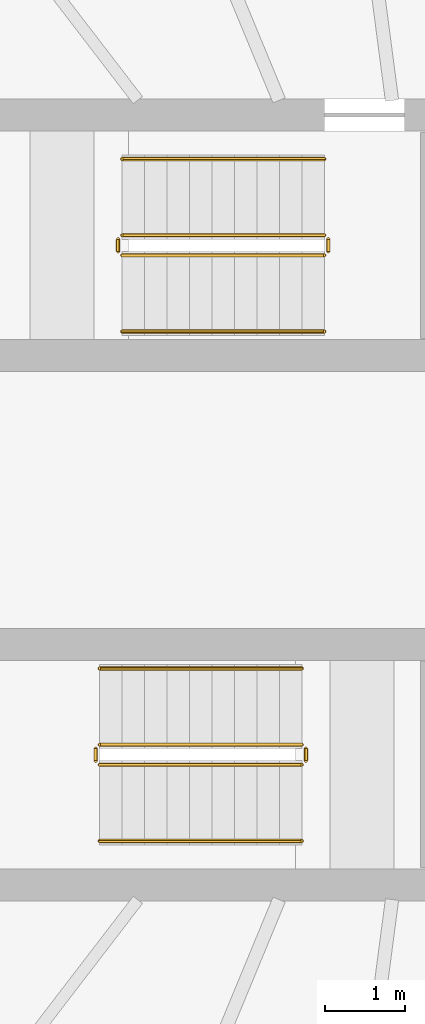
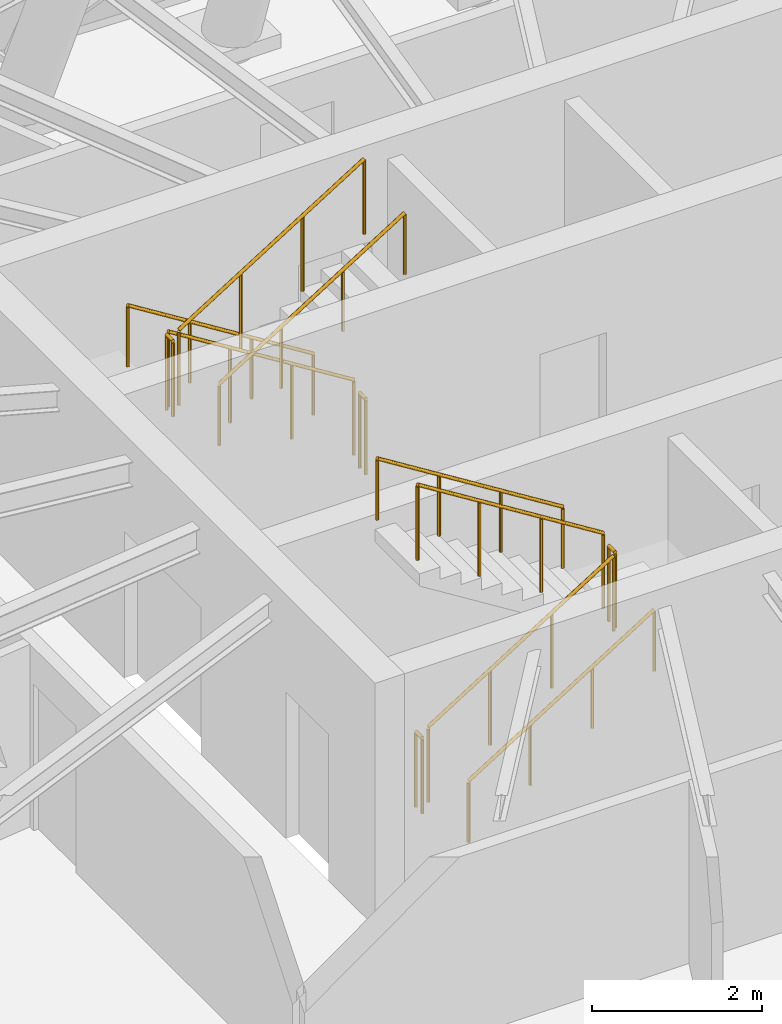
# One storey, part 8 of 8: 12 railings.
"""IFC4 building model written with IfcOpenShell, lengths in metres."""

from ifc_helpers import new_model, si_unit, direction, frame, origin, origin_2d, place, context, subcontext, project, spatial, circle, extrude, material, type_object, element, save


model = new_model("IFC4")

# Units and contexts
model_context = context("Model", 3, precision=1e-05, world=origin(), true_north=direction((0.0, 1.0)))
body_context = subcontext(model_context, "Body", "Model", "MODEL_VIEW")
ifc_project = project(units=[si_unit("LENGTHUNIT", "METRE"), si_unit("AREAUNIT", "SQUARE_METRE"), si_unit("VOLUMEUNIT", "CUBIC_METRE"), si_unit("PLANEANGLEUNIT", "RADIAN"), si_unit("MASSUNIT", "GRAM", prefix="KILO")], contexts=[model_context])

# Site, building, storey
site_placement = place(None, origin())
site = spatial("IfcSite", under=ifc_project, at=site_placement, CompositionType="ELEMENT")
building_placement = place(site_placement, origin())
building = spatial("IfcBuilding", under=site, at=building_placement, Name="Spindrift Exchange Tower", CompositionType="ELEMENT")
storey_placement = place(building_placement, frame((0.0, 0.0, 280.10009765625)))
storey = spatial("IfcBuildingStorey", under=building, at=storey_placement, Name="L69", CompositionType="ELEMENT", Elevation=280.10009765625)

# Railings
ifc_material_1 = material(Name="Steel balustrade", Category="steel")
railing_type_1 = type_object("IfcRailingType", Name="RL-STAIR-GUARD", PredefinedType="GUARDRAIL", material=ifc_material_1)
railing_1_placement = place(storey_placement, frame((50.5, 51.300048828125, 0.1748046875)))
element("IfcRailing", 1, at=railing_1_placement, inside=storey, type_object=railing_type_1, Name="L69 ST3 stair guard 1", PredefinedType="GUARDRAIL", context=body_context, shape_type="SweptSolid", body=[
    extrude(circle(Radius=0.02392578125, at=origin_2d()), frame((0.0, 0.0, 1.076171875), z_axis=(-0.847970611238, 0.0, 0.530043245855), x_axis=(0.0, -1.0, 0.0)), (0.0, 0.0, 1.0), 2.971923828125),
    extrude(circle(Radius=0.02099609375, at=origin_2d()), origin(), (0.0, 0.0, 1.0), 1.052001953125),
    extrude(circle(Radius=0.02099609375, at=origin_2d()), frame((-0.840087890625, 0.0, 0.525146484375)), (0.0, 0.0, 1.0), 1.052001953125),
    extrude(circle(Radius=0.02099609375, at=origin_2d()), frame((-1.679931640625, 0.0, 1.050048828125)), (0.0, 0.0, 1.0), 1.052001953125),
    extrude(circle(Radius=0.02099609375, at=origin_2d()), frame((-2.52001953125, 0.0, 1.5751953125)), (0.0, 0.0, 1.0), 1.052001953125),
])
railing_2_placement = place(storey_placement, frame((47.929931640625, 51.25, 1.75)))
element("IfcRailing", 2, at=railing_2_placement, inside=storey, type_object=railing_type_1, Name="L69 ST3 stair guard 2", PredefinedType="GUARDRAIL", context=body_context, shape_type="SweptSolid", body=[
    extrude(circle(Radius=0.02392578125, at=origin_2d()), frame((0.0, 0.0, 1.076171875), z_axis=(0.0, -1.0, 0.0), x_axis=(1.0, 0.0, 0.0)), (0.0, 0.0, 1.0), 0.14990234375),
    extrude(circle(Radius=0.02099609375, at=origin_2d()), origin(), (0.0, 0.0, 1.0), 1.052001953125),
    extrude(circle(Radius=0.02099609375, at=origin_2d()), frame((0.0, -0.14990234375, 0.0)), (0.0, 0.0, 1.0), 1.052001953125),
])
railing_3_placement = place(storey_placement, frame((47.97998046875, 51.050048828125, 1.9248046875)))
element("IfcRailing", 3, at=railing_3_placement, inside=storey, type_object=railing_type_1, Name="L69 ST3 stair guard 3", PredefinedType="GUARDRAIL", context=body_context, shape_type="SweptSolid", body=[
    extrude(circle(Radius=0.02392578125, at=origin_2d()), frame((0.0, 0.0, 1.076171875), z_axis=(0.847970611238, 0.0, 0.530043245855), x_axis=(0.0, 1.0, 0.0)), (0.0, 0.0, 1.0), 2.971923828125),
    extrude(circle(Radius=0.02099609375, at=origin_2d()), origin(), (0.0, 0.0, 1.0), 1.052001953125),
    extrude(circle(Radius=0.02099609375, at=origin_2d()), frame((0.840087890625, 0.0, 0.525146484375)), (0.0, 0.0, 1.0), 1.052001953125),
    extrude(circle(Radius=0.02099609375, at=origin_2d()), frame((1.679931640625, 0.0, 1.050048828125)), (0.0, 0.0, 1.0), 1.052001953125),
    extrude(circle(Radius=0.02099609375, at=origin_2d()), frame((2.52001953125, 0.0, 1.5751953125)), (0.0, 0.0, 1.0), 1.052001953125),
])
railing_4_placement = place(storey_placement, frame((50.550048828125, 51.25, 0.0)))
element("IfcRailing", 4, at=railing_4_placement, inside=storey, type_object=railing_type_1, Name="L69 ST3 stair guard 4", PredefinedType="GUARDRAIL", context=body_context, shape_type="SweptSolid", body=[
    extrude(circle(Radius=0.02392578125, at=origin_2d()), frame((0.0, 0.0, 1.076171875), z_axis=(0.0, -1.0, 0.0), x_axis=(1.0, 0.0, 0.0)), (0.0, 0.0, 1.0), 0.14990234375),
    extrude(circle(Radius=0.02099609375, at=origin_2d()), origin(), (0.0, 0.0, 1.0), 1.052001953125),
    extrude(circle(Radius=0.02099609375, at=origin_2d()), frame((0.0, -0.14990234375, 0.0)), (0.0, 0.0, 1.0), 1.052001953125),
])
railing_5_placement = place(storey_placement, frame((47.699951171875, 44.699951171875, 0.1748046875)))
element("IfcRailing", 5, at=railing_5_placement, inside=storey, type_object=railing_type_1, Name="L69 ST4 stair guard 1", PredefinedType="GUARDRAIL", context=body_context, shape_type="SweptSolid", body=[
    extrude(circle(Radius=0.02392578125, at=origin_2d()), frame((0.0, 0.0, 1.076171875), z_axis=(0.847970611238, 0.0, 0.530043245855), x_axis=(0.0, 1.0, 0.0)), (0.0, 0.0, 1.0), 2.971923828125),
    extrude(circle(Radius=0.02099609375, at=origin_2d()), origin(), (0.0, 0.0, 1.0), 1.052001953125),
    extrude(circle(Radius=0.02099609375, at=origin_2d()), frame((0.840087890625, 0.0, 0.525146484375)), (0.0, 0.0, 1.0), 1.052001953125),
    extrude(circle(Radius=0.02099609375, at=origin_2d()), frame((1.679931640625, 0.0, 1.050048828125)), (0.0, 0.0, 1.0), 1.052001953125),
    extrude(circle(Radius=0.02099609375, at=origin_2d()), frame((2.52001953125, 0.0, 1.5751953125)), (0.0, 0.0, 1.0), 1.052001953125),
])
railing_6_placement = place(storey_placement, frame((50.27001953125, 44.75, 1.75)))
element("IfcRailing", 6, at=railing_6_placement, inside=storey, type_object=railing_type_1, Name="L69 ST4 stair guard 2", PredefinedType="GUARDRAIL", context=body_context, shape_type="SweptSolid", body=[
    extrude(circle(Radius=0.02392578125, at=origin_2d()), frame((0.0, 0.0, 1.076171875), z_axis=(0.0, 1.0, 0.0), x_axis=(-1.0, 0.0, 0.0)), (0.0, 0.0, 1.0), 0.14990234375),
    extrude(circle(Radius=0.02099609375, at=origin_2d()), origin(), (0.0, 0.0, 1.0), 1.052001953125),
    extrude(circle(Radius=0.02099609375, at=origin_2d()), frame((0.0, 0.14990234375, 0.0)), (0.0, 0.0, 1.0), 1.052001953125),
])
railing_7_placement = place(storey_placement, frame((50.219970703125, 44.949951171875, 1.9248046875)))
element("IfcRailing", 7, at=railing_7_placement, inside=storey, type_object=railing_type_1, Name="L69 ST4 stair guard 3", PredefinedType="GUARDRAIL", context=body_context, shape_type="SweptSolid", body=[
    extrude(circle(Radius=0.02392578125, at=origin_2d()), frame((0.0, 0.0, 1.076171875), z_axis=(-0.847970611238, 0.0, 0.530043245855), x_axis=(0.0, -1.0, 0.0)), (0.0, 0.0, 1.0), 2.971923828125),
    extrude(circle(Radius=0.02099609375, at=origin_2d()), origin(), (0.0, 0.0, 1.0), 1.052001953125),
    extrude(circle(Radius=0.02099609375, at=origin_2d()), frame((-0.840087890625, 0.0, 0.525146484375)), (0.0, 0.0, 1.0), 1.052001953125),
    extrude(circle(Radius=0.02099609375, at=origin_2d()), frame((-1.679931640625, 0.0, 1.050048828125)), (0.0, 0.0, 1.0), 1.052001953125),
    extrude(circle(Radius=0.02099609375, at=origin_2d()), frame((-2.52001953125, 0.0, 1.5751953125)), (0.0, 0.0, 1.0), 1.052001953125),
])
railing_8_placement = place(storey_placement, frame((47.64990234375, 44.75, 0.0)))
element("IfcRailing", 8, at=railing_8_placement, inside=storey, type_object=railing_type_1, Name="L69 ST4 stair guard 4", PredefinedType="GUARDRAIL", context=body_context, shape_type="SweptSolid", body=[
    extrude(circle(Radius=0.02392578125, at=origin_2d()), frame((0.0, 0.0, 1.076171875), z_axis=(0.0, 1.0, 0.0), x_axis=(-1.0, 0.0, 0.0)), (0.0, 0.0, 1.0), 0.14990234375),
    extrude(circle(Radius=0.02099609375, at=origin_2d()), origin(), (0.0, 0.0, 1.0), 1.052001953125),
    extrude(circle(Radius=0.02099609375, at=origin_2d()), frame((0.0, 0.14990234375, 0.0)), (0.0, 0.0, 1.0), 1.052001953125),
])
ifc_material_2 = material(Name="Steel tubular handrail", Category="steel")
railing_type_2 = type_object("IfcRailingType", Name="RL-STAIR-HAND", PredefinedType="HANDRAIL", material=ifc_material_2)
railing_9_placement = place(storey_placement, frame((50.5, 52.25, 0.1748046875)))
element("IfcRailing", 9, at=railing_9_placement, inside=storey, type_object=railing_type_2, Name="L69 ST3 stair handrail 1", PredefinedType="HANDRAIL", context=body_context, shape_type="SweptSolid", body=[
    extrude(circle(Radius=0.02392578125, at=origin_2d()), frame((0.0, 0.0, 0.8759765625), z_axis=(-0.847970611238, 0.0, 0.530043245855), x_axis=(0.0, -1.0, 0.0)), (0.0, 0.0, 1.0), 2.971923828125),
    extrude(circle(Radius=0.02099609375, at=origin_2d()), origin(), (0.0, 0.0, 1.0), 0.851806640625),
    extrude(circle(Radius=0.02099609375, at=origin_2d()), frame((-0.840087890625, 0.0, 0.525146484375)), (0.0, 0.0, 1.0), 0.851806640625),
    extrude(circle(Radius=0.02099609375, at=origin_2d()), frame((-1.679931640625, 0.0, 1.050048828125)), (0.0, 0.0, 1.0), 0.851806640625),
    extrude(circle(Radius=0.02099609375, at=origin_2d()), frame((-2.52001953125, 0.0, 1.5751953125)), (0.0, 0.0, 1.0), 0.851806640625),
])
for number, where, name in (
    (10, (47.97998046875, 50.10009765625, 1.9248046875), "L69 ST3 stair handrail 2"),
    (11, (47.699951171875, 43.75, 0.1748046875), "L69 ST4 stair handrail 1"),
):
    element("IfcRailing", number, at=place(storey_placement, frame(where)), inside=storey, type_object=railing_type_2, Name=name, PredefinedType="HANDRAIL", context=body_context, shape_type="SweptSolid", body=[
        extrude(circle(Radius=0.02392578125, at=origin_2d()), frame((0.0, 0.0, 0.8759765625), z_axis=(0.847970611238, 0.0, 0.530043245855), x_axis=(0.0, 1.0, 0.0)), (0.0, 0.0, 1.0), 2.971923828125),
        extrude(circle(Radius=0.02099609375, at=origin_2d()), origin(), (0.0, 0.0, 1.0), 0.851806640625),
        extrude(circle(Radius=0.02099609375, at=origin_2d()), frame((0.840087890625, 0.0, 0.525146484375)), (0.0, 0.0, 1.0), 0.851806640625),
        extrude(circle(Radius=0.02099609375, at=origin_2d()), frame((1.679931640625, 0.0, 1.050048828125)), (0.0, 0.0, 1.0), 0.851806640625),
        extrude(circle(Radius=0.02099609375, at=origin_2d()), frame((2.52001953125, 0.0, 1.5751953125)), (0.0, 0.0, 1.0), 0.851806640625),
    ])
railing_10_placement = place(storey_placement, frame((50.219970703125, 45.89990234375, 1.9248046875)))
element("IfcRailing", 12, at=railing_10_placement, inside=storey, type_object=railing_type_2, Name="L69 ST4 stair handrail 2", PredefinedType="HANDRAIL", context=body_context, shape_type="SweptSolid", body=[
    extrude(circle(Radius=0.02392578125, at=origin_2d()), frame((0.0, 0.0, 0.8759765625), z_axis=(-0.847970611238, 0.0, 0.530043245855), x_axis=(0.0, -1.0, 0.0)), (0.0, 0.0, 1.0), 2.971923828125),
    extrude(circle(Radius=0.02099609375, at=origin_2d()), origin(), (0.0, 0.0, 1.0), 0.851806640625),
    extrude(circle(Radius=0.02099609375, at=origin_2d()), frame((-0.840087890625, 0.0, 0.525146484375)), (0.0, 0.0, 1.0), 0.851806640625),
    extrude(circle(Radius=0.02099609375, at=origin_2d()), frame((-1.679931640625, 0.0, 1.050048828125)), (0.0, 0.0, 1.0), 0.851806640625),
    extrude(circle(Radius=0.02099609375, at=origin_2d()), frame((-2.52001953125, 0.0, 1.5751953125)), (0.0, 0.0, 1.0), 0.851806640625),
])

save(model, "model.ifc")
